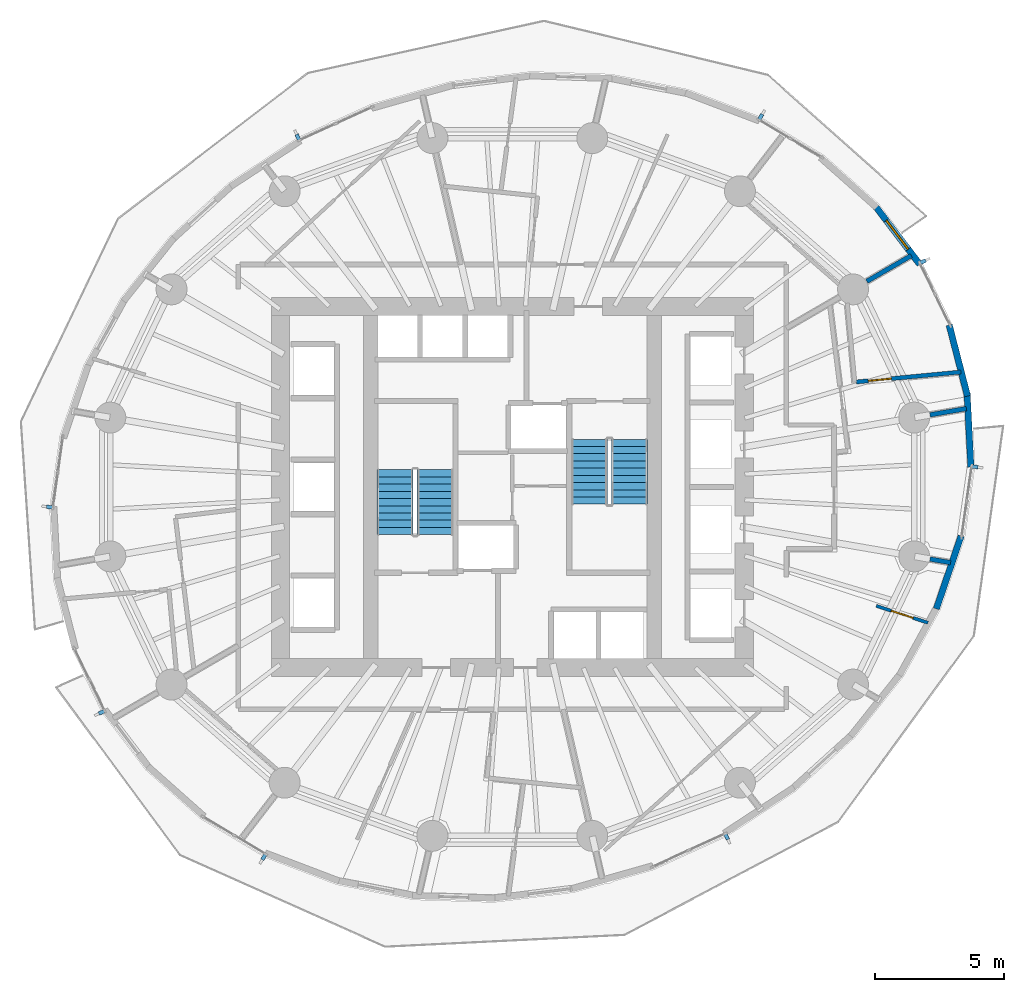
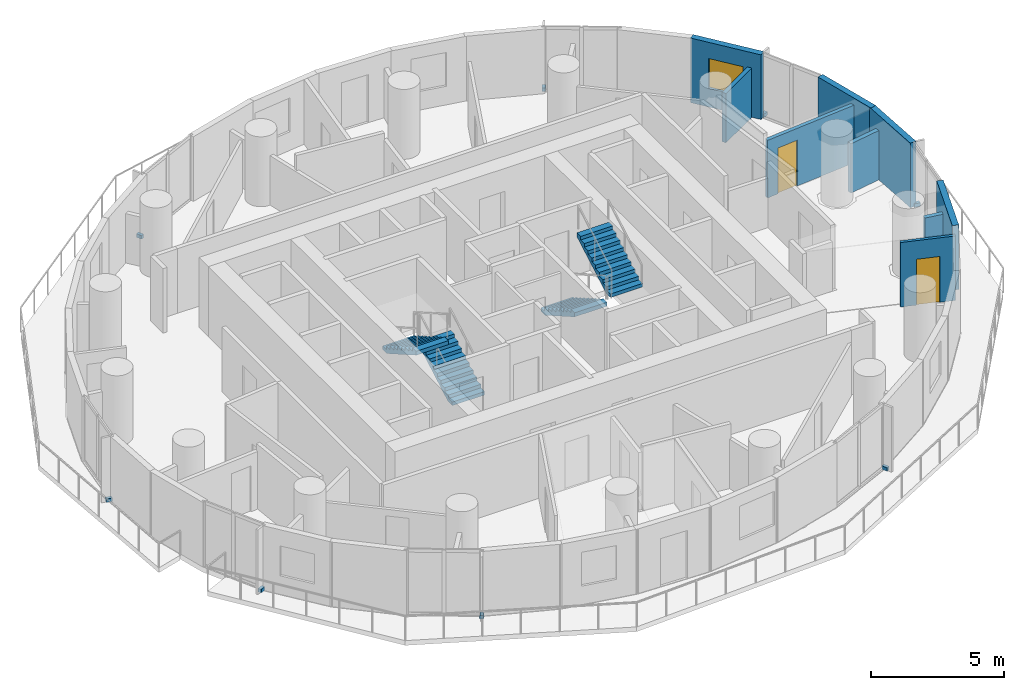
# One storey, part 10 of 14: 9 walls, 8 discrete accessories, 4 stair flights, 2 doors, 1 window, 3 openings, 2 elements without a shape of their own.
"""IFC4 building model written with IfcOpenShell, lengths in metres."""

from ifc_helpers import new_model, si_unit, direction, frame, frame_2d, origin, origin_2d, place, context, subcontext, project, spatial, polyline, rectangle, outline, extrude, material, layer, layer_set, type_object, element, fill, aggregate, save


model = new_model("IFC4")

# Units and contexts
model_context = context("Model", 3, precision=1e-05, world=origin(), true_north=direction((0.0, 1.0)))
body_context = subcontext(model_context, "Body", "Model", "MODEL_VIEW")
ifc_project = project(units=[si_unit("LENGTHUNIT", "METRE"), si_unit("AREAUNIT", "SQUARE_METRE"), si_unit("VOLUMEUNIT", "CUBIC_METRE"), si_unit("PLANEANGLEUNIT", "RADIAN"), si_unit("MASSUNIT", "GRAM", prefix="KILO")], contexts=[model_context])

# Site, building, storey
site_placement = place(None, origin())
site = spatial("IfcSite", under=ifc_project, at=site_placement, CompositionType="ELEMENT")
building_placement = place(site_placement, origin())
building = spatial("IfcBuilding", under=site, at=building_placement, Name="Veldorim Arch Residences", CompositionType="ELEMENT")
storey_placement = place(building_placement, frame((0.0, 0.0, 90.080078125)))
storey = spatial("IfcBuildingStorey", under=building, at=storey_placement, Name="L26", CompositionType="ELEMENT", Elevation=90.080078125)

# Wall, opening, door
ifc_material_1 = material(Name="Acoustic Gypsum Board", Category="gypsum")
ifc_layer_1 = layer(ifc_material_1, 0.125, Name="Acoustic Stud Room Partition Wall 125")
ifc_layer_set_1 = layer_set([ifc_layer_1], Name="Acoustic Gypsum Board")
wall_type_1 = type_object("IfcWallType", Name="Acoustic Stud Room Partition Wall 125", PredefinedType="PARTITIONING", material=ifc_layer_set_1)
wall_1_placement = place(storey_placement, frame((48.1298828125, 18.73046875, 0.0), z_axis=(0.0, 0.0, 1.0), x_axis=(-0.950573429935, 0.310499845896, 0.0)))
wall_1 = element("IfcWall", 1, at=wall_1_placement, inside=storey, type_object=wall_type_1, Name="L26 interior wall WL-RES-L26-023", PredefinedType="PARTITIONING", context=body_context, shape_type="SweptSolid", body=[
    extrude(rectangle(XDim=2.112060546875, YDim=0.125, at=frame_2d((1.05615234375, 0.0))), origin(), (0.0, 0.0, 1.0), 2.954833984375),
])
opening_1_placement = place(wall_1_placement, frame((0.60595703125, 0.0, 0.0)))
opening_1 = element("IfcOpeningElement", 2, at=opening_1_placement, cuts=wall_1, Name="Opening DR-INT", PredefinedType="OPENING", context=body_context, shape_type="SweptSolid", body=[
    extrude(rectangle(XDim=0.89990234375, YDim=2.10009765625, at=frame_2d((0.449951171875, 1.050048828125))), frame((0.0, 0.072509765625, 0.0), z_axis=(0.0, -1.0, 0.0), x_axis=(1.0, 0.0, 0.0)), (0.0, 0.0, 1.0), 0.14501953125),
])
ifc_material_2 = material(Name="Engineered Timber", Category="wood")
door_type_1 = type_object("IfcDoorType", Name="Apartment Internal Room Timber Door 900x2100", OperationType="SINGLE_SWING_LEFT", PredefinedType="DOOR", material=ifc_material_2)
door_1_placement = place(opening_1_placement, origin())
door_1 = element("IfcDoor", 3, at=door_1_placement, inside=storey, type_object=door_type_1, Name="L26 interior door DR-RES-L26-008", OperationType="SINGLE_SWING_RIGHT", OverallHeight=2.10009765625, OverallWidth=0.89990234375, PredefinedType="DOOR", context=body_context, shape_type="SweptSolid", body=[
    extrude(rectangle(XDim=0.89990234375, YDim=2.10009765625, at=frame_2d((0.449951171875, 1.050048828125))), frame((0.0, 0.02490234375, 0.0), z_axis=(0.0, -1.0, 0.0), x_axis=(1.0, 0.0, 0.0)), (0.0, 0.0, 1.0), 0.050048828125),
])
fill(opening_1, door_1)

# Walls
ifc_material_3 = material(Name="Lightweight Masonry Block & Gypsum", Category="masonry")
ifc_layer_2 = layer(ifc_material_3, 0.179931640625, Name="Compartment & Corridor Fire-Rated Party Wall 180")
ifc_layer_set_2 = layer_set([ifc_layer_2], Name="Lightweight Masonry Block & Gypsum")
wall_type_2 = type_object("IfcWallType", Name="Compartment & Corridor Fire-Rated Party Wall 180", PredefinedType="PARTITIONING", material=ifc_layer_set_2)
wall_2_placement = place(storey_placement, frame((48.20556640625, 26.797607421875, 0.0), z_axis=(0.0, 0.0, 1.0), x_axis=(0.985402123708, 0.170242928172, 0.0)))
element("IfcWall", 4, at=wall_2_placement, inside=storey, type_object=wall_type_2, Name="L26 interior wall WL-PIER-L26-01", PredefinedType="PARTITIONING", context=body_context, shape_type="SweptSolid", body=[
    extrude(rectangle(XDim=1.435546875, YDim=0.179931640625, at=frame_2d((0.7177734375, 0.0))), origin(), (0.0, 0.0, 1.0), 2.260498046875),
])
wall_3_placement = place(storey_placement, frame((45.756591796875, 31.977783203125, 0.0), z_axis=(0.0, 0.0, 1.0), x_axis=(0.865046065875, 0.501692439563, 0.0)))
element("IfcWall", 5, at=wall_3_placement, inside=storey, type_object=wall_type_2, Name="L26 interior wall WL-PIER-L26-02", PredefinedType="PARTITIONING", context=body_context, shape_type="SweptSolid", body=[
    extrude(rectangle(XDim=1.994140625, YDim=0.179931640625, at=frame_2d((0.9970703125, 0.0))), origin(), (0.0, 0.0, 1.0), 2.260498046875),
])
wall_4_placement = place(storey_placement, frame((48.20556640625, 21.202392578125, 0.0), z_axis=(0.0, 0.0, 1.0), x_axis=(0.985418430365, -0.170148514822, 0.0)))
element("IfcWall", 6, at=wall_4_placement, inside=storey, type_object=wall_type_2, Name="L26 interior wall WL-PIER-L26-16", PredefinedType="PARTITIONING", context=body_context, shape_type="SweptSolid", body=[
    extrude(rectangle(XDim=0.812255859375, YDim=0.179931640625, at=frame_2d((0.40625, 0.0))), origin(), (0.0, 0.0, 1.0), 2.260498046875),
])

# Wall, opening, window
ifc_material_4 = material(Name="Precast concrete C40/50", Category="concrete")
ifc_layer_3 = layer(ifc_material_4, 0.25, Name="Tower Terracotta Spandrel & Pier Wall 250")
ifc_layer_set_3 = layer_set([ifc_layer_3], Name="Precast concrete C40/50")
wall_type_3 = type_object("IfcWallType", Name="Tower Terracotta Spandrel & Pier Wall 250", PredefinedType="SOLIDWALL", material=ifc_layer_set_3)
wall_5_placement = place(storey_placement, frame((46.0654296875, 34.927001953125, 0.0), z_axis=(0.0, 0.0, 1.0), x_axis=(0.606166055027, -0.795338112838, 0.0)))
wall_5 = element("IfcWall", 7, at=wall_5_placement, inside=storey, type_object=wall_type_3, Name="L26 terracotta facade wall 02", PredefinedType="SOLIDWALL", context=body_context, shape_type="SweptSolid", body=[
    extrude(rectangle(XDim=2.8740234375, YDim=0.25, at=frame_2d((1.43701171875, 0.0))), origin(), (0.0, 0.0, 1.0), 2.9599609375),
])
opening_2_placement = place(wall_5_placement, frame((0.737060546875, 0.0, 0.85009765625)))
opening_2 = element("IfcOpeningElement", 8, at=opening_2_placement, cuts=wall_5, Name="Opening WN-02", PredefinedType="OPENING", context=body_context, shape_type="SweptSolid", body=[
    extrude(rectangle(XDim=1.39990234375, YDim=1.3701171875, at=frame_2d((0.699951171875, 0.68505859375))), frame((0.0, 0.135009765625, 0.0), z_axis=(0.0, -1.0, 0.0), x_axis=(1.0, 0.0, 0.0)), (0.0, 0.0, 1.0), 0.27001953125),
])
ifc_material_5 = material(Name="Laminated Low-E Glass", Category="glass")
window_type = type_object("IfcWindowType", Name="Residential Casement Window 1400x1550", PartitioningType="SINGLE_PANEL", PredefinedType="WINDOW", material=ifc_material_5)
window_placement = place(opening_2_placement, origin())
window = element("IfcWindow", 9, at=window_placement, inside=storey, type_object=window_type, Name="L26 solar-control facade window 02", OverallHeight=1.3701171875, OverallWidth=1.39990234375, PartitioningType="SINGLE_PANEL", PredefinedType="WINDOW", context=body_context, shape_type="SweptSolid", body=[
    extrude(rectangle(XDim=1.39990234375, YDim=1.3701171875, at=frame_2d((0.699951171875, 0.68505859375))), frame((0.0, 0.030029296875, 0.0), z_axis=(0.0, -1.0, 0.0), x_axis=(1.0, 0.0, 0.0)), (0.0, 0.0, 1.0), 0.06005859375),
])
fill(opening_2, window)

# Walls
wall_6_placement = place(storey_placement, frame((49.414794921875, 22.098876953125, 0.0), z_axis=(0.0, 0.0, 1.0), x_axis=(-0.321149814784, -0.947028403198, 0.0)))
element("IfcWall", 10, at=wall_6_placement, inside=storey, type_object=wall_type_3, Name="L26 terracotta facade wall 33", PredefinedType="SOLIDWALL", context=body_context, shape_type="SweptSolid", body=[
    extrude(rectangle(XDim=2.98828125, YDim=0.25, at=frame_2d((1.494140625, 0.0))), origin(), (0.0, 0.0, 1.0), 2.9599609375),
])
wall_7_placement = place(storey_placement, frame((49.643798828125, 27.64013671875, 0.0), z_axis=(0.0, 0.0, 1.0), x_axis=(0.052411702269, -0.998625562193, 0.0)))
element("IfcWall", 11, at=wall_7_placement, inside=storey, type_object=wall_type_3, Name="L26 terracotta facade wall 35", PredefinedType="SOLIDWALL", context=body_context, shape_type="SweptSolid", body=[
    extrude(rectangle(XDim=2.8740234375, YDim=0.25, at=frame_2d((1.43701171875, 0.0))), origin(), (0.0, 0.0, 1.0), 2.9599609375),
])
wall_8_placement = place(storey_placement, frame((48.95263671875, 30.284912109375, 0.0), z_axis=(0.0, 0.0, 1.0), x_axis=(0.248825035787, -0.96854845081, 0.0)))
element("IfcWall", 12, at=wall_8_placement, inside=storey, type_object=wall_type_3, Name="L26 terracotta facade wall 36", PredefinedType="SOLIDWALL", context=body_context, shape_type="SweptSolid", body=[
    extrude(rectangle(XDim=2.847412109375, YDim=0.25, at=frame_2d((1.423828125, 0.0))), origin(), (0.0, 0.0, 1.0), 2.9599609375),
])

# Wall, opening, door
ifc_material_6 = material(Name="Moisture-Resistant Gypsum & Stud", Category="gypsum")
ifc_layer_4 = layer(ifc_material_6, 0.159912109375, Name="Wet-Area Moisture-Resistant Plumbing Wall 160")
ifc_layer_set_4 = layer_set([ifc_layer_4], Name="Moisture-Resistant Gypsum & Stud")
wall_type_4 = type_object("IfcWallType", Name="Wet-Area Moisture-Resistant Plumbing Wall 160", PredefinedType="PLUMBINGWALL", material=ifc_layer_set_4)
wall_9_placement = place(storey_placement, frame((45.34716796875, 28.07421875, 0.0), z_axis=(0.0, 0.0, 1.0), x_axis=(0.995525564748, 0.09449259195, 0.0)))
wall_9 = element("IfcWall", 13, at=wall_9_placement, inside=storey, type_object=wall_type_4, Name="L26 interior wall WL-RES-L26-022", PredefinedType="PLUMBINGWALL", context=body_context, shape_type="SweptSolid", body=[
    extrude(rectangle(XDim=4.0771484375, YDim=0.159912109375, at=frame_2d((2.03857421875, 0.0))), origin(), (0.0, 0.0, 1.0), 2.641357421875),
])
opening_3_placement = place(wall_9_placement, frame((0.468505859375, 0.0, 0.0)))
opening_3 = element("IfcOpeningElement", 14, at=opening_3_placement, cuts=wall_9, Name="Opening DR-WC", PredefinedType="OPENING", context=body_context, shape_type="SweptSolid", body=[
    extrude(rectangle(XDim=0.89990234375, YDim=2.10009765625, at=frame_2d((0.449951171875, 1.050048828125))), frame((0.0, 0.08984375, 0.0), z_axis=(0.0, -1.0, 0.0), x_axis=(1.0, 0.0, 0.0)), (0.0, 0.0, 1.0), 0.179931640625),
])
ifc_material_7 = material(Name="Laminate Timber", Category="wood")
door_type_2 = type_object("IfcDoorType", Name="Bathroom & Accessible WC Moisture-Sealed Door 900x2100", OperationType="SINGLE_SWING_LEFT", PredefinedType="DOOR", material=ifc_material_7)
door_2_placement = place(opening_3_placement, origin())
door_2 = element("IfcDoor", 15, at=door_2_placement, inside=storey, type_object=door_type_2, Name="L26 interior door DR-RES-L26-007", OperationType="SINGLE_SWING_LEFT", OverallHeight=2.10009765625, OverallWidth=0.89990234375, PredefinedType="DOOR", context=body_context, shape_type="SweptSolid", body=[
    extrude(rectangle(XDim=0.89990234375, YDim=2.10009765625, at=frame_2d((0.449951171875, 1.050048828125))), frame((0.0, 0.02490234375, 0.0), z_axis=(0.0, -1.0, 0.0), x_axis=(1.0, 0.0, 0.0)), (0.0, 0.0, 1.0), 0.050048828125),
])
fill(opening_3, door_2)

# Stair, stair flights
ifc_material_8 = material(Name="Concrete C40/50", Category="concrete")
stair_type = type_object("IfcStairType", Name="Reinforced Concrete Dogleg Exit Staircase", PredefinedType="HALF_TURN_STAIR", material=ifc_material_8)
stair_1_placement = place(storey_placement, origin())
stair_1 = element("IfcStair", 16, at=stair_1_placement, inside=storey, type_object=stair_type, Name="L26 Exit Staircase ST-1", PredefinedType="HALF_TURN_STAIR")
ifc_material_9 = material(Name="Concrete C40/50", Category="concrete")
stair_flight_type = type_object("IfcStairFlightType", Name="Reinforced Concrete Stair Flight 1400", PredefinedType="STRAIGHT", material=ifc_material_9)
stair_flight_1_placement = place(storey_placement, frame((29.010009765625, 22.14990234375, 0.0), z_axis=(0.0, 0.0, 1.0), x_axis=(0.0, 1.0, 0.0)))
stair_flight_1 = element("IfcStairFlight", 17, at=stair_flight_1_placement, type_object=stair_flight_type, Name="ST-1 flight 1", NumberOfRisers=10, NumberOfTreads=9, PredefinedType="STRAIGHT", RiserHeight=0.16, TreadLength=0.28, context=body_context, shape_type="SweptSolid", body=[
    extrude(outline(polyline([(0.0, 0.0), (0.0, 0.159912109375), (0.280029296875, 0.159912109375), (0.280029296875, 0.320068359375), (0.56005859375, 0.320068359375), (0.56005859375, 0.47998046875), (0.840087890625, 0.47998046875), (0.840087890625, 0.639892578125), (1.1201171875, 0.639892578125), (1.1201171875, 0.800048828125), (1.39990234375, 0.800048828125), (1.39990234375, 0.9599609375), (1.679931640625, 0.9599609375), (1.679931640625, 1.1201171875), (1.9599609375, 1.1201171875), (1.9599609375, 1.280029296875), (2.239990234375, 1.280029296875), (2.239990234375, 1.43994140625), (2.52001953125, 1.43994140625), (2.52001953125, 1.60009765625), (2.52001953125, 1.255859375), (0.322265625, 0.0), (0.0, 0.0)])), frame((0.0, 0.699951171875, 0.0), z_axis=(0.0, -1.0, 0.0), x_axis=(1.0, 0.0, 0.0)), (0.0, 0.0, 1.0), 1.39990234375),
])
stair_flight_2_placement = place(storey_placement, frame((27.449951171875, 24.669921875, 1.599853515625), z_axis=(0.0, 0.0, 1.0), x_axis=(0.0, -1.0, 0.0)))
stair_flight_2 = element("IfcStairFlight", 18, at=stair_flight_2_placement, type_object=stair_flight_type, Name="ST-1 flight 2", NumberOfRisers=10, NumberOfTreads=9, PredefinedType="STRAIGHT", RiserHeight=0.16, TreadLength=0.28, context=body_context, shape_type="SweptSolid", body=[
    extrude(outline(polyline([(0.0, 0.0), (0.0, 0.159912109375), (0.280029296875, 0.159912109375), (0.280029296875, 0.320068359375), (0.56005859375, 0.320068359375), (0.56005859375, 0.47998046875), (0.840087890625, 0.47998046875), (0.840087890625, 0.639892578125), (1.1201171875, 0.639892578125), (1.1201171875, 0.800048828125), (1.39990234375, 0.800048828125), (1.39990234375, 0.9599609375), (1.679931640625, 0.9599609375), (1.679931640625, 1.1201171875), (1.9599609375, 1.1201171875), (1.9599609375, 1.280029296875), (2.239990234375, 1.280029296875), (2.239990234375, 1.43994140625), (2.52001953125, 1.43994140625), (2.52001953125, 1.60009765625), (2.52001953125, 1.255859375), (0.322265625, 0.0), (0.0, 0.0)])), frame((0.0, 0.699951171875, 0.0), z_axis=(0.0, -1.0, 0.0), x_axis=(1.0, 0.0, 0.0)), (0.0, 0.0, 1.0), 1.39990234375),
])
aggregate(stair_1, [stair_flight_1, stair_flight_2])

stair_2_placement = place(storey_placement, origin())
stair_2 = element("IfcStair", 19, at=stair_2_placement, inside=storey, type_object=stair_type, Name="L26 Exit Staircase ST-2", PredefinedType="HALF_TURN_STAIR")
stair_flight_3_placement = place(storey_placement, frame((34.989990234375, 25.85009765625, 0.0), z_axis=(0.0, 0.0, 1.0), x_axis=(0.0, -1.0, 0.0)))
stair_flight_3 = element("IfcStairFlight", 20, at=stair_flight_3_placement, type_object=stair_flight_type, Name="ST-2 flight 1", NumberOfRisers=10, NumberOfTreads=9, PredefinedType="STRAIGHT", RiserHeight=0.16, TreadLength=0.28, context=body_context, shape_type="SweptSolid", body=[
    extrude(outline(polyline([(0.0, 0.0), (0.0, 0.159912109375), (0.280029296875, 0.159912109375), (0.280029296875, 0.320068359375), (0.56005859375, 0.320068359375), (0.56005859375, 0.47998046875), (0.840087890625, 0.47998046875), (0.840087890625, 0.639892578125), (1.1201171875, 0.639892578125), (1.1201171875, 0.800048828125), (1.39990234375, 0.800048828125), (1.39990234375, 0.9599609375), (1.679931640625, 0.9599609375), (1.679931640625, 1.1201171875), (1.9599609375, 1.1201171875), (1.9599609375, 1.280029296875), (2.239990234375, 1.280029296875), (2.239990234375, 1.43994140625), (2.52001953125, 1.43994140625), (2.52001953125, 1.60009765625), (2.52001953125, 1.255859375), (0.322265625, 0.0), (0.0, 0.0)])), frame((0.0, 0.699951171875, 0.0), z_axis=(0.0, -1.0, 0.0), x_axis=(1.0, 0.0, 0.0)), (0.0, 0.0, 1.0), 1.39990234375),
])
stair_flight_4_placement = place(storey_placement, frame((36.550048828125, 23.330078125, 1.599853515625), z_axis=(0.0, 0.0, 1.0), x_axis=(0.0, 1.0, 0.0)))
stair_flight_4 = element("IfcStairFlight", 21, at=stair_flight_4_placement, type_object=stair_flight_type, Name="ST-2 flight 2", NumberOfRisers=10, NumberOfTreads=9, PredefinedType="STRAIGHT", RiserHeight=0.16, TreadLength=0.28, context=body_context, shape_type="SweptSolid", body=[
    extrude(outline(polyline([(0.0, 0.0), (0.0, 0.159912109375), (0.280029296875, 0.159912109375), (0.280029296875, 0.320068359375), (0.56005859375, 0.320068359375), (0.56005859375, 0.47998046875), (0.840087890625, 0.47998046875), (0.840087890625, 0.639892578125), (1.1201171875, 0.639892578125), (1.1201171875, 0.800048828125), (1.39990234375, 0.800048828125), (1.39990234375, 0.9599609375), (1.679931640625, 0.9599609375), (1.679931640625, 1.1201171875), (1.9599609375, 1.1201171875), (1.9599609375, 1.280029296875), (2.239990234375, 1.280029296875), (2.239990234375, 1.43994140625), (2.52001953125, 1.43994140625), (2.52001953125, 1.60009765625), (2.52001953125, 1.255859375), (0.322265625, 0.0), (0.0, 0.0)])), frame((0.0, 0.699951171875, 0.0), z_axis=(0.0, -1.0, 0.0), x_axis=(1.0, 0.0, 0.0)), (0.0, 0.0, 1.0), 1.39990234375),
])
aggregate(stair_2, [stair_flight_3, stair_flight_4])

# Discrete accessories
ifc_material_10 = material(Name="Stainless Steel", Category="steel")
discrete_accessory_type = type_object("IfcDiscreteAccessoryType", Name="Stainless Steel Facade Fin Anchor Bracket", PredefinedType="BRACKET", material=ifc_material_10)
for number, where, z_axis, x_axis, name in (
    (22, (47.932373046875, 32.7421875, -0.02001953125), (0.0, 0.0, 1.0), (0.437115766651, -0.899405251566, 0.0), "L26 stainless fin anchor bracket 01"),
    (23, (41.63720703125, 38.3583984375, -0.02001953125), (0.0, 0.0, 1.0), (0.857616429769, -0.514289859311, 0.0), "L26 stainless fin anchor bracket 04"),
    (24, (23.6826171875, 37.569580078125, -0.02001953125), (0.0, 0.0, 1.0), (0.909961270877, 0.414693242656, 0.0), "L26 stainless fin anchor bracket 10"),
    (25, (14.04541015625, 23.216796875, -0.02001953125), (0.0, 0.0, 1.0), (0.14055563991, 0.990072781208, 0.0), "L26 stainless fin anchor bracket 16"),
    (26, (16.067626953125, 15.2578125, -0.02001953125), (0.0, 0.0, 1.0), (-0.437115766651, 0.899405251566, 0.0), "L26 stainless fin anchor bracket 19"),
    (27, (22.36279296875, 9.6416015625, -0.02001953125), (0.0, 0.0, 1.0), (-0.857616429769, 0.514289859311, 0.0), "L26 stainless fin anchor bracket 22"),
    (28, (40.3173828125, 10.430419921875, -0.02001953125), (0.0, 0.0, 1.0), (-0.909961270877, -0.414693242656, 0.0), "L26 stainless fin anchor bracket 28"),
    (29, (49.95458984375, 24.783203125, -0.02001953125), (0.0, 0.0, 1.0), (-0.14055563991, -0.990072781208, 0.0), "L26 stainless fin anchor bracket 34"),
):
    element("IfcDiscreteAccessory", number, at=place(storey_placement, frame(where, z_axis=z_axis, x_axis=x_axis)), inside=storey, type_object=discrete_accessory_type, Name=name, PredefinedType="BRACKET", context=body_context, shape_type="SweptSolid", body=[
        extrude(rectangle(XDim=0.139892578125, YDim=0.239990234375, at=origin_2d()), origin(), (0.0, 0.0, 1.0), 0.159912109375),
    ])

save(model, "model.ifc")
